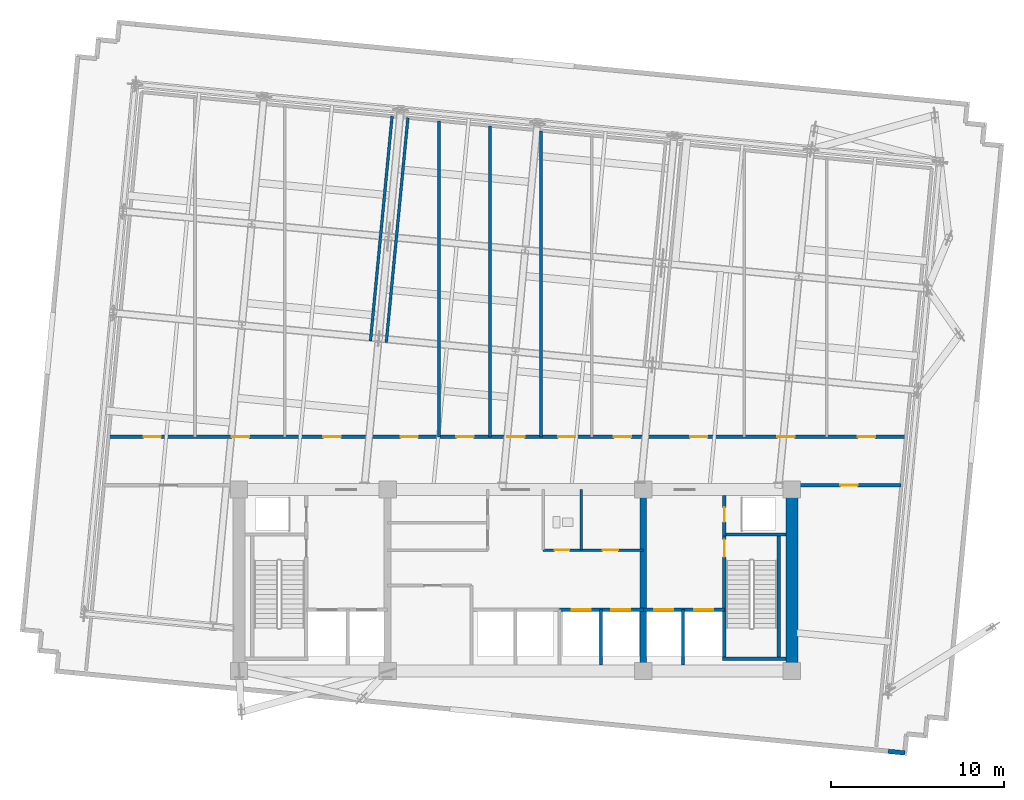
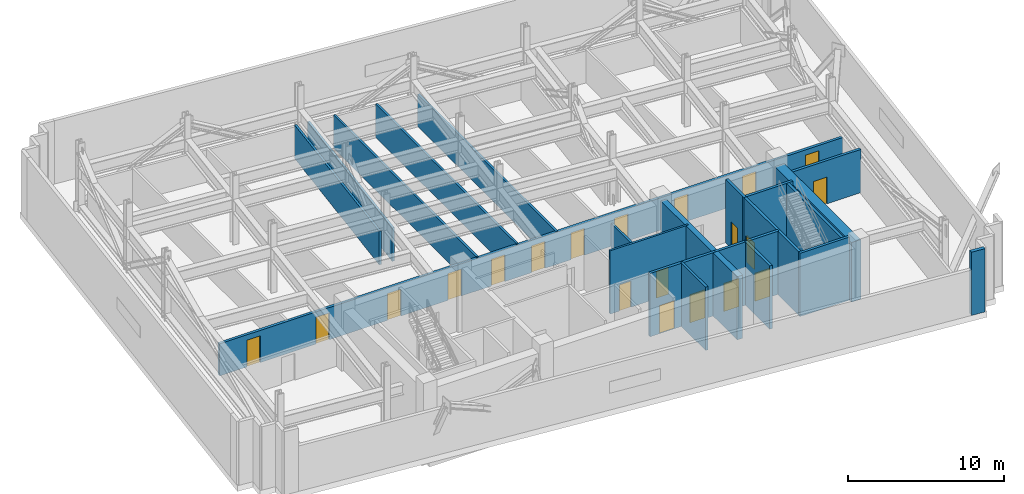
# One storey, part 6 of 10: 21 walls, 20 doors, 20 openings.
"""IFC4 building model written with IfcOpenShell, lengths in metres."""

from ifc_helpers import new_model, si_unit, direction, frame, frame_2d, origin, place, context, subcontext, project, spatial, rectangle, extrude, material, layer, layer_set, type_object, element, fill, save


model = new_model("IFC4")

# Units and contexts
model_context = context("Model", 3, precision=1e-05, world=origin(), true_north=direction((0.0, 1.0)))
body_context = subcontext(model_context, "Body", "Model", "MODEL_VIEW")
ifc_project = project(units=[si_unit("LENGTHUNIT", "METRE"), si_unit("AREAUNIT", "SQUARE_METRE"), si_unit("VOLUMEUNIT", "CUBIC_METRE"), si_unit("PLANEANGLEUNIT", "RADIAN"), si_unit("MASSUNIT", "GRAM", prefix="KILO")], contexts=[model_context])

# Site, building, storey
site_placement = place(None, origin())
site = spatial("IfcSite", under=ifc_project, at=site_placement, CompositionType="ELEMENT")
building_placement = place(site_placement, origin())
building = spatial("IfcBuilding", under=site, at=building_placement, Name="Solmavex Isthmus Hotel", CompositionType="ELEMENT")
storey_placement = place(building_placement, frame((0.0, 0.0, 186.300048828125)))
storey = spatial("IfcBuildingStorey", under=building, at=storey_placement, Name="L50", CompositionType="ELEMENT", Elevation=186.300048828125)

# Walls
ifc_material_1 = material(Name="Precast Concrete C40/50", Category="concrete")
ifc_layer_1 = layer(ifc_material_1, 0.260009765625)
ifc_layer_set_1 = layer_set([ifc_layer_1], Name="Precast Concrete C40/50")
wall_type_1 = type_object("IfcWallType", Name="EW-CRN-260", PredefinedType="STANDARD", material=ifc_layer_set_1)
wall_1_placement = place(storey_placement, frame((22.5478515625, -17.74755859375, 0.0), z_axis=(0.0, 0.0, 1.0), x_axis=(-0.99541594347, 0.095640469916, 0.0)))
element("IfcWall", 1, at=wall_1_placement, inside=storey, type_object=wall_type_1, Name="Plant Acoustic Louvre Enclosure Wall L50-27", PredefinedType="STANDARD", context=body_context, shape_type="SweptSolid", body=[
    extrude(rectangle(XDim=0.969970703125, YDim=0.260009765625, at=frame_2d((0.48486328125, 0.0))), origin(), (0.0, 0.0, 1.0), 4.949951171875),
])
ifc_material_2 = material(Name="Gypsum plasterboard lining", Category="gypsum")
ifc_layer_2 = layer(ifc_material_2, 0.159912109375)
ifc_layer_set_2 = layer_set([ifc_layer_2], Name="Gypsum plasterboard lining")
wall_type_2 = type_object("IfcWallType", Name="IW-COMP-160", PredefinedType="PARTITIONING", material=ifc_layer_set_2)
for number, where, z_axis, x_axis, name in (
    (2, (-8.395263671875, 6.097900390625, 0.0), (0.0, 0.0, 1.0), (0.095845777462, 0.995396195966, 0.0), "Interior Partition Wall W-L50-OTWL"),
    (3, (-7.4794921875, 6.009765625, 0.0), (0.0, 0.0, 1.0), (0.095845777462, 0.995396195966, 0.0), "Interior Partition Wall W-L50-OTWR"),
):
    element("IfcWall", number, at=place(storey_placement, frame(where, z_axis=z_axis, x_axis=x_axis)), inside=storey, type_object=wall_type_2, Name=name, PredefinedType="PARTITIONING", context=body_context, shape_type="SweptSolid", body=[
        extrude(rectangle(XDim=13.080078125, YDim=0.159912109375, at=frame_2d((6.5400390625, 0.0))), origin(), (0.0, 0.0, 1.0), 2.615966796875),
    ])
wall_2_placement = place(storey_placement, frame((-4.419921875, 0.550048828125, 0.0), z_axis=(0.0, 0.0, 1.0), x_axis=(0.0, 1.0, 0.0)))
element("IfcWall", 4, at=wall_2_placement, inside=storey, type_object=wall_type_2, Name="Interior Partition Wall W-L50-PX4", PredefinedType="PARTITIONING", context=body_context, shape_type="SweptSolid", body=[
    extrude(rectangle(XDim=18.285400390625, YDim=0.159912109375, at=frame_2d((9.142578125, 0.0))), origin(), (0.0, 0.0, 1.0), 2.615966796875),
])
wall_3_placement = place(storey_placement, frame((-1.469970703125, 0.550048828125, 0.0), z_axis=(0.0, 0.0, 1.0), x_axis=(0.0, 1.0, 0.0)))
element("IfcWall", 5, at=wall_3_placement, inside=storey, type_object=wall_type_2, Name="Interior Partition Wall W-L50-PX5", PredefinedType="PARTITIONING", context=body_context, shape_type="SweptSolid", body=[
    extrude(rectangle(XDim=18.00146484375, YDim=0.159912109375, at=frame_2d((9.000732421875, 0.0))), origin(), (0.0, 0.0, 1.0), 2.615966796875),
])
wall_4_placement = place(storey_placement, frame((1.47998046875, 0.550048828125, 0.0), z_axis=(0.0, 0.0, 1.0), x_axis=(0.0, 1.0, 0.0)))
element("IfcWall", 6, at=wall_4_placement, inside=storey, type_object=wall_type_2, Name="Interior Partition Wall W-L50-PX6", PredefinedType="PARTITIONING", context=body_context, shape_type="SweptSolid", body=[
    extrude(rectangle(XDim=17.71728515625, YDim=0.159912109375, at=frame_2d((8.858642578125, 0.0))), origin(), (0.0, 0.0, 1.0), 2.5185546875),
])

# Wall, openings, doors
ifc_layer_3 = layer(ifc_material_2, 0.14990234375)
ifc_layer_set_3 = layer_set([ifc_layer_3], Name="Gypsum plasterboard lining")
wall_type_3 = type_object("IfcWallType", Name="IW-CORR-150", PredefinedType="PARTITIONING", material=ifc_layer_set_3)
wall_5_placement = place(storey_placement, frame((1.60009765625, -6.0, 0.0), z_axis=(0.0, 0.0, 1.0), x_axis=(1.0, 0.0, 0.0)))
wall_5 = element("IfcWall", 7, at=wall_5_placement, inside=storey, type_object=wall_type_3, Name="Interior Partition Wall W-L50-BOH-ES", PredefinedType="PARTITIONING", context=body_context, shape_type="SweptSolid", body=[
    extrude(rectangle(XDim=5.7998046875, YDim=0.14990234375, at=frame_2d((2.89990234375, 0.0))), origin(), (0.0, 0.0, 1.0), 4.949951171875),
])
opening_1_placement = place(wall_5_placement, frame((0.675048828125, 0.0, 0.0)))
opening_1 = element("IfcOpeningElement", 8, at=opening_1_placement, cuts=wall_5, Name="Opening ID-R085", PredefinedType="OPENING", context=body_context, shape_type="SweptSolid", body=[
    extrude(rectangle(XDim=0.85009765625, YDim=2.050048828125, at=frame_2d((0.425048828125, 1.02490234375))), frame((0.0, 0.0849609375, 0.0), z_axis=(0.0, -1.0, 0.0), x_axis=(1.0, 0.0, 0.0)), (0.0, 0.0, 1.0), 0.169921875),
])
opening_2_placement = place(wall_5_placement, frame((3.449951171875, 0.0, 0.0)))
opening_2 = element("IfcOpeningElement", 9, at=opening_2_placement, cuts=wall_5, Name="Opening ID-C090", PredefinedType="OPENING", context=body_context, shape_type="SweptSolid", body=[
    extrude(rectangle(XDim=0.89990234375, YDim=2.10009765625, at=frame_2d((0.449951171875, 1.050048828125))), frame((0.0, 0.0849609375, 0.0), z_axis=(0.0, -1.0, 0.0), x_axis=(1.0, 0.0, 0.0)), (0.0, 0.0, 1.0), 0.169921875),
])
ifc_material_3 = material(Name="Steel ASTM A500 Grade C", Category="steel")
door_type_1 = type_object("IfcDoorType", Name="IDR-FD60-0850", OperationType="NOTDEFINED", PredefinedType="DOOR", material=ifc_material_3)
door_1_placement = place(opening_1_placement, frame((0.85009765625, 0.0, 0.0), z_axis=(0.0, 0.0, 1.0), x_axis=(-1.0, 0.0, 0.0)))
door_1 = element("IfcDoor", 10, at=door_1_placement, inside=storey, type_object=door_type_1, Name="Staff WC Door L50", OperationType="SINGLE_SWING_LEFT", OverallHeight=2.050048828125, OverallWidth=0.85009765625, PredefinedType="DOOR", context=body_context, shape_type="SweptSolid", body=[
    extrude(rectangle(XDim=0.85009765625, YDim=2.050048828125, at=frame_2d((0.425048828125, 1.02490234375))), frame((0.0, 0.02490234375, 0.0), z_axis=(0.0, -1.0, 0.0), x_axis=(1.0, 0.0, 0.0)), (0.0, 0.0, 1.0), 0.050048828125),
])
fill(opening_1, door_1)
ifc_material_4 = material(Name="Hardwood timber", Category="wood")
door_type_2 = type_object("IfcDoorType", Name="IDR-FD60-0900", OperationType="NOTDEFINED", PredefinedType="DOOR", material=ifc_material_4)
door_2_placement = place(opening_2_placement, frame((0.89990234375, 0.0, 0.0), z_axis=(0.0, 0.0, 1.0), x_axis=(-1.0, 0.0, 0.0)))
door_2 = element("IfcDoor", 11, at=door_2_placement, inside=storey, type_object=door_type_2, Name="Room Service Door L50", OperationType="SINGLE_SWING_RIGHT", OverallHeight=2.10009765625, OverallWidth=0.89990234375, PredefinedType="DOOR", context=body_context, shape_type="SweptSolid", body=[
    extrude(rectangle(XDim=0.89990234375, YDim=2.10009765625, at=frame_2d((0.449951171875, 1.050048828125))), frame((0.0, 0.02490234375, 0.0), z_axis=(0.0, -1.0, 0.0), x_axis=(1.0, 0.0, 0.0)), (0.0, 0.0, 1.0), 0.050048828125),
])
fill(opening_2, door_2)

# Walls
ifc_layer_4 = layer(ifc_material_2, 0.1201171875)
ifc_layer_set_4 = layer_set([ifc_layer_4], Name="Gypsum plasterboard lining")
wall_type_4 = type_object("IfcWallType", Name="IW-PART-120", PredefinedType="PARTITIONING", material=ifc_layer_set_4)
wall_6_placement = place(storey_placement, frame((3.800048828125, -6.0, 0.0), z_axis=(0.0, 0.0, 1.0), x_axis=(0.0, 1.0, 0.0)))
element("IfcWall", 12, at=wall_6_placement, inside=storey, type_object=wall_type_4, Name="Interior Partition Wall W-L50-BOH-EM3", PredefinedType="PARTITIONING", context=body_context, shape_type="SweptSolid", body=[
    extrude(rectangle(XDim=3.5, YDim=0.14990234375, at=frame_2d((1.75, 0.0))), origin(), (0.0, 0.0, 1.0), 4.195068359375),
])
ifc_material_5 = material(Name="Concrete C40/50", Category="concrete")
ifc_layer_5 = layer(ifc_material_5, 0.179931640625)
ifc_layer_set_5 = layer_set([ifc_layer_5], Name="Concrete C40/50")
wall_type_5 = type_object("IfcWallType", Name="IW-SHAFT-180", PredefinedType="PARTITIONING", material=ifc_layer_set_5)
wall_7_placement = place(storey_placement, frame((4.949951171875, -12.64990234375, 0.0), z_axis=(0.0, 0.0, 1.0), x_axis=(0.0, 1.0, 0.0)))
element("IfcWall", 13, at=wall_7_placement, inside=storey, type_object=wall_type_5, Name="Interior Partition Wall W-L50-SH-PLH-M", PredefinedType="PARTITIONING", context=body_context, shape_type="SweptSolid", body=[
    extrude(rectangle(XDim=3.199951171875, YDim=0.179931640625, at=frame_2d((1.60009765625, 0.0))), origin(), (0.0, 0.0, 1.0), 4.949951171875),
])

# Wall, opening, door
ifc_layer_6 = layer(ifc_material_5, 0.199951171875)
ifc_layer_set_6 = layer_set([ifc_layer_6], Name="Concrete C40/50")
wall_type_6 = type_object("IfcWallType", Name="IW-SHAFT-200", PredefinedType="PARTITIONING", material=ifc_layer_set_6)
wall_8_placement = place(storey_placement, frame((12.10009765625, -5.199951171875, 0.0), z_axis=(0.0, 0.0, 1.0), x_axis=(0.0, 1.0, 0.0)))
wall_8 = element("IfcWall", 14, at=wall_8_placement, inside=storey, type_object=wall_type_6, Name="Interior Partition Wall W-L50-RSE-W", PredefinedType="PARTITIONING", context=body_context, shape_type="SweptSolid", body=[
    extrude(rectangle(XDim=2.349853515625, YDim=0.199951171875, at=frame_2d((1.1748046875, 0.0))), origin(), (0.0, 0.0, 1.0), 4.949951171875),
])
opening_3_placement = place(wall_8_placement, frame((0.824951171875, 0.0, 0.0)))
opening_3 = element("IfcOpeningElement", 15, at=opening_3_placement, cuts=wall_8, Name="Opening ID-R085", PredefinedType="OPENING", context=body_context, shape_type="SweptSolid", body=[
    extrude(rectangle(XDim=0.85009765625, YDim=2.050048828125, at=frame_2d((0.425048828125, 1.02490234375))), frame((0.0, 0.10986328125, 0.0), z_axis=(0.0, -1.0, 0.0), x_axis=(1.0, 0.0, 0.0)), (0.0, 0.0, 1.0), 0.219970703125),
])
door_3_placement = place(opening_3_placement, frame((0.85009765625, 0.0, 0.0), z_axis=(0.0, 0.0, 1.0), x_axis=(-1.0, 0.0, 0.0)))
door_3 = element("IfcDoor", 16, at=door_3_placement, inside=storey, type_object=door_type_1, Name="Mechanical Riser Door L50", OperationType="SINGLE_SWING_LEFT", OverallHeight=2.050048828125, OverallWidth=0.85009765625, PredefinedType="DOOR", context=body_context, shape_type="SweptSolid", body=[
    extrude(rectangle(XDim=0.85009765625, YDim=2.050048828125, at=frame_2d((0.425048828125, 1.02490234375))), frame((0.0, 0.02490234375, 0.0), z_axis=(0.0, -1.0, 0.0), x_axis=(1.0, 0.0, 0.0)), (0.0, 0.0, 1.0), 0.050048828125),
])
fill(opening_3, door_3)

# Wall, openings, doors
wall_9_placement = place(storey_placement, frame((7.39990234375, -9.449951171875, 0.0), z_axis=(0.0, 0.0, 1.0), x_axis=(1.0, 0.0, 0.0)))
wall_9 = element("IfcWall", 17, at=wall_9_placement, inside=storey, type_object=wall_type_6, Name="Interior Partition Wall W-L50-FFLE-S", PredefinedType="PARTITIONING", context=body_context, shape_type="SweptSolid", body=[
    extrude(rectangle(XDim=4.7001953125, YDim=0.199951171875, at=frame_2d((2.35009765625, 0.0))), origin(), (0.0, 0.0, 1.0), 4.949951171875),
])
opening_4_placement = place(wall_9_placement, frame((2.949951171875, 0.0, 0.0)))
opening_4 = element("IfcOpeningElement", 18, at=opening_4_placement, cuts=wall_9, Name="Opening LD-FF", PredefinedType="OPENING", context=body_context, shape_type="SweptSolid", body=[
    extrude(rectangle(XDim=1.10009765625, YDim=2.199951171875, at=frame_2d((0.550048828125, 1.10009765625))), frame((0.0, 0.10986328125, 0.0), z_axis=(0.0, -1.0, 0.0), x_axis=(1.0, 0.0, 0.0)), (0.0, 0.0, 1.0), 0.219970703125),
])
opening_5_placement = place(wall_9_placement, frame((0.64990234375, 0.0, 0.0)))
opening_5 = element("IfcOpeningElement", 19, at=opening_5_placement, cuts=wall_9, Name="Opening LD-SV", PredefinedType="OPENING", context=body_context, shape_type="SweptSolid", body=[
    extrude(rectangle(XDim=1.10009765625, YDim=2.199951171875, at=frame_2d((0.550048828125, 1.10009765625))), frame((0.0, 0.10986328125, 0.0), z_axis=(0.0, -1.0, 0.0), x_axis=(1.0, 0.0, 0.0)), (0.0, 0.0, 1.0), 0.219970703125),
])
ifc_material_6 = material(Name="Stainless steel 316", Category="steel")
door_type_3 = type_object("IfcDoorType", Name="LDR-FF-1100", OperationType="NOTDEFINED", PredefinedType="DOOR", material=ifc_material_6)
door_4_placement = place(opening_4_placement, origin())
door_4 = element("IfcDoor", 20, at=door_4_placement, inside=storey, type_object=door_type_3, Name="Lift Landing Door FFL-2 L50", OperationType="SLIDING_TO_LEFT", OverallHeight=2.199951171875, OverallWidth=1.10009765625, PredefinedType="DOOR", context=body_context, shape_type="SweptSolid", body=[
    extrude(rectangle(XDim=1.10009765625, YDim=2.199951171875, at=frame_2d((0.550048828125, 1.10009765625))), frame((0.0, 0.02490234375, 0.0), z_axis=(0.0, -1.0, 0.0), x_axis=(1.0, 0.0, 0.0)), (0.0, 0.0, 1.0), 0.050048828125),
])
fill(opening_4, door_4)
door_type_4 = type_object("IfcDoorType", Name="LDR-SV-1100", OperationType="NOTDEFINED", PredefinedType="DOOR", material=ifc_material_6)
door_5_placement = place(opening_5_placement, origin())
door_5 = element("IfcDoor", 21, at=door_5_placement, inside=storey, type_object=door_type_4, Name="Lift Landing Door SVL-2 L50", OperationType="SLIDING_TO_RIGHT", OverallHeight=2.199951171875, OverallWidth=1.10009765625, PredefinedType="DOOR", context=body_context, shape_type="SweptSolid", body=[
    extrude(rectangle(XDim=1.10009765625, YDim=2.199951171875, at=frame_2d((0.550048828125, 1.10009765625))), frame((0.0, 0.02490234375, 0.0), z_axis=(0.0, -1.0, 0.0), x_axis=(1.0, 0.0, 0.0)), (0.0, 0.0, 1.0), 0.050048828125),
])
fill(opening_5, door_5)

# Wall
wall_10_placement = place(storey_placement, frame((9.699951171875, -12.64990234375, 0.0), z_axis=(0.0, 0.0, 1.0), x_axis=(0.0, 1.0, 0.0)))
element("IfcWall", 22, at=wall_10_placement, inside=storey, type_object=wall_type_6, Name="Interior Partition Wall W-L50-FFLE-M", PredefinedType="PARTITIONING", context=body_context, shape_type="SweptSolid", body=[
    extrude(rectangle(XDim=3.199951171875, YDim=0.199951171875, at=frame_2d((1.60009765625, 0.0))), origin(), (0.0, 0.0, 1.0), 4.949951171875),
])

# Wall, openings, doors
wall_11_placement = place(storey_placement, frame((2.550048828125, -9.449951171875, 0.0), z_axis=(0.0, 0.0, 1.0), x_axis=(1.0, 0.0, 0.0)))
wall_11 = element("IfcWall", 23, at=wall_11_placement, inside=storey, type_object=wall_type_6, Name="Interior Partition Wall W-L50-SH-PLH", PredefinedType="PARTITIONING", context=body_context, shape_type="SweptSolid", body=[
    extrude(rectangle(XDim=4.849853515625, YDim=0.199951171875, at=frame_2d((2.4248046875, 0.0))), origin(), (0.0, 0.0, 1.0), 4.949951171875),
])
opening_6_placement = place(wall_11_placement, frame((0.699951171875, 0.0, 0.0)))
opening_6 = element("IfcOpeningElement", 24, at=opening_6_placement, cuts=wall_11, Name="Opening LD-PL", PredefinedType="OPENING", context=body_context, shape_type="SweptSolid", body=[
    extrude(rectangle(XDim=1.10009765625, YDim=2.199951171875, at=frame_2d((0.550048828125, 1.10009765625))), frame((0.0, 0.10986328125, 0.0), z_axis=(0.0, -1.0, 0.0), x_axis=(1.0, 0.0, 0.0)), (0.0, 0.0, 1.0), 0.219970703125),
])
opening_7_placement = place(wall_11_placement, frame((3.0, 0.0, 0.0)))
opening_7 = element("IfcOpeningElement", 25, at=opening_7_placement, cuts=wall_11, Name="Opening LD-PL", PredefinedType="OPENING", context=body_context, shape_type="SweptSolid", body=[
    extrude(rectangle(XDim=1.10009765625, YDim=2.199951171875, at=frame_2d((0.550048828125, 1.10009765625))), frame((0.0, 0.10986328125, 0.0), z_axis=(0.0, -1.0, 0.0), x_axis=(1.0, 0.0, 0.0)), (0.0, 0.0, 1.0), 0.219970703125),
])
door_type_5 = type_object("IfcDoorType", Name="LDR-PL-1100", OperationType="NOTDEFINED", PredefinedType="DOOR", material=ifc_material_6)
door_6_placement = place(opening_6_placement, origin())
door_6 = element("IfcDoor", 26, at=door_6_placement, inside=storey, type_object=door_type_5, Name="Lift Landing Door PLH1 L50", OperationType="SLIDING_TO_LEFT", OverallHeight=2.199951171875, OverallWidth=1.10009765625, PredefinedType="DOOR", context=body_context, shape_type="SweptSolid", body=[
    extrude(rectangle(XDim=1.10009765625, YDim=2.199951171875, at=frame_2d((0.550048828125, 1.10009765625))), frame((0.0, 0.02490234375, 0.0), z_axis=(0.0, -1.0, 0.0), x_axis=(1.0, 0.0, 0.0)), (0.0, 0.0, 1.0), 0.050048828125),
])
fill(opening_6, door_6)
door_7_placement = place(opening_7_placement, origin())
door_7 = element("IfcDoor", 27, at=door_7_placement, inside=storey, type_object=door_type_5, Name="Lift Landing Door PLH2 L50", OperationType="SLIDING_TO_LEFT", OverallHeight=2.199951171875, OverallWidth=1.10009765625, PredefinedType="DOOR", context=body_context, shape_type="SweptSolid", body=[
    extrude(rectangle(XDim=1.10009765625, YDim=2.199951171875, at=frame_2d((0.550048828125, 1.10009765625))), frame((0.0, 0.02490234375, 0.0), z_axis=(0.0, -1.0, 0.0), x_axis=(1.0, 0.0, 0.0)), (0.0, 0.0, 1.0), 0.050048828125),
])
fill(opening_7, door_7)

wall_12_placement = place(storey_placement, frame((-23.54052734375, 0.550048828125, 0.0), z_axis=(0.0, 0.0, 1.0), x_axis=(1.0, 0.0, 0.0)))
wall_12 = element("IfcWall", 28, at=wall_12_placement, inside=storey, type_object=wall_type_6, Name="Interior Partition Wall W-L50-PN", PredefinedType="PARTITIONING", context=body_context, shape_type="SweptSolid", body=[
    extrude(rectangle(XDim=46.13232421875, YDim=0.199951171875, at=frame_2d((23.066162109375, 0.0))), origin(), (0.0, 0.0, 1.0), 2.5185546875),
])
opening_8_placement = place(wall_12_placement, frame((2.005615234375, 0.0, 0.0)))
opening_8 = element("IfcOpeningElement", 29, at=opening_8_placement, cuts=wall_12, Name="Opening ID-F100", PredefinedType="OPENING", context=body_context, shape_type="SweptSolid", body=[
    extrude(rectangle(XDim=1.0, YDim=2.10009765625, at=frame_2d((0.5, 1.050048828125))), frame((0.0, 0.10986328125, 0.0), z_axis=(0.0, -1.0, 0.0), x_axis=(1.0, 0.0, 0.0)), (0.0, 0.0, 1.0), 0.219970703125),
])
opening_9_placement = place(wall_12_placement, frame((7.115478515625, 0.0, 0.0)))
opening_9 = element("IfcOpeningElement", 30, at=opening_9_placement, cuts=wall_12, Name="Opening ID-F100", PredefinedType="OPENING", context=body_context, shape_type="SweptSolid", body=[
    extrude(rectangle(XDim=1.0, YDim=2.10009765625, at=frame_2d((0.5, 1.050048828125))), frame((0.0, 0.10986328125, 0.0), z_axis=(0.0, -1.0, 0.0), x_axis=(1.0, 0.0, 0.0)), (0.0, 0.0, 1.0), 0.219970703125),
])
opening_10_placement = place(wall_12_placement, frame((12.425537109375, 0.0, 0.0)))
opening_10 = element("IfcOpeningElement", 31, at=opening_10_placement, cuts=wall_12, Name="Opening ID-F100", PredefinedType="OPENING", context=body_context, shape_type="SweptSolid", body=[
    extrude(rectangle(XDim=1.0, YDim=2.10009765625, at=frame_2d((0.5, 1.050048828125))), frame((0.0, 0.10986328125, 0.0), z_axis=(0.0, -1.0, 0.0), x_axis=(1.0, 0.0, 0.0)), (0.0, 0.0, 1.0), 0.219970703125),
])
opening_11_placement = place(wall_12_placement, frame((16.8955078125, 0.0, 0.0)))
opening_11 = element("IfcOpeningElement", 32, at=opening_11_placement, cuts=wall_12, Name="Opening ID-F100", PredefinedType="OPENING", context=body_context, shape_type="SweptSolid", body=[
    extrude(rectangle(XDim=1.0, YDim=2.10009765625, at=frame_2d((0.5, 1.050048828125))), frame((0.0, 0.10986328125, 0.0), z_axis=(0.0, -1.0, 0.0), x_axis=(1.0, 0.0, 0.0)), (0.0, 0.0, 1.0), 0.219970703125),
])
opening_12_placement = place(wall_12_placement, frame((20.115478515625, 0.0, 0.0)))
opening_12 = element("IfcOpeningElement", 33, at=opening_12_placement, cuts=wall_12, Name="Opening ID-F100", PredefinedType="OPENING", context=body_context, shape_type="SweptSolid", body=[
    extrude(rectangle(XDim=1.0, YDim=2.10009765625, at=frame_2d((0.5, 1.050048828125))), frame((0.0, 0.10986328125, 0.0), z_axis=(0.0, -1.0, 0.0), x_axis=(1.0, 0.0, 0.0)), (0.0, 0.0, 1.0), 0.219970703125),
])
opening_13_placement = place(wall_12_placement, frame((23.07568359375, 0.0, 0.0)))
opening_13 = element("IfcOpeningElement", 34, at=opening_13_placement, cuts=wall_12, Name="Opening ID-F100", PredefinedType="OPENING", context=body_context, shape_type="SweptSolid", body=[
    extrude(rectangle(XDim=1.0, YDim=2.10009765625, at=frame_2d((0.5, 1.050048828125))), frame((0.0, 0.10986328125, 0.0), z_axis=(0.0, -1.0, 0.0), x_axis=(1.0, 0.0, 0.0)), (0.0, 0.0, 1.0), 0.219970703125),
])
opening_14_placement = place(wall_12_placement, frame((26.015625, 0.0, 0.0)))
opening_14 = element("IfcOpeningElement", 35, at=opening_14_placement, cuts=wall_12, Name="Opening ID-F100", PredefinedType="OPENING", context=body_context, shape_type="SweptSolid", body=[
    extrude(rectangle(XDim=1.0, YDim=2.10009765625, at=frame_2d((0.5, 1.050048828125))), frame((0.0, 0.10986328125, 0.0), z_axis=(0.0, -1.0, 0.0), x_axis=(1.0, 0.0, 0.0)), (0.0, 0.0, 1.0), 0.219970703125),
])
opening_15_placement = place(wall_12_placement, frame((29.235595703125, 0.0, 0.0)))
opening_15 = element("IfcOpeningElement", 36, at=opening_15_placement, cuts=wall_12, Name="Opening ID-F100", PredefinedType="OPENING", context=body_context, shape_type="SweptSolid", body=[
    extrude(rectangle(XDim=1.0, YDim=2.10009765625, at=frame_2d((0.5, 1.050048828125))), frame((0.0, 0.10986328125, 0.0), z_axis=(0.0, -1.0, 0.0), x_axis=(1.0, 0.0, 0.0)), (0.0, 0.0, 1.0), 0.219970703125),
])
opening_16_placement = place(wall_12_placement, frame((33.655517578125, 0.0, 0.0)))
opening_16 = element("IfcOpeningElement", 37, at=opening_16_placement, cuts=wall_12, Name="Opening ID-F100", PredefinedType="OPENING", context=body_context, shape_type="SweptSolid", body=[
    extrude(rectangle(XDim=1.0, YDim=2.10009765625, at=frame_2d((0.5, 1.050048828125))), frame((0.0, 0.10986328125, 0.0), z_axis=(0.0, -1.0, 0.0), x_axis=(1.0, 0.0, 0.0)), (0.0, 0.0, 1.0), 0.219970703125),
])
opening_17_placement = place(wall_12_placement, frame((38.70556640625, 0.0, 0.0)))
opening_17 = element("IfcOpeningElement", 38, at=opening_17_placement, cuts=wall_12, Name="Opening ID-F100", PredefinedType="OPENING", context=body_context, shape_type="SweptSolid", body=[
    extrude(rectangle(XDim=1.0, YDim=2.10009765625, at=frame_2d((0.5, 1.050048828125))), frame((0.0, 0.10986328125, 0.0), z_axis=(0.0, -1.0, 0.0), x_axis=(1.0, 0.0, 0.0)), (0.0, 0.0, 1.0), 0.219970703125),
])
opening_18_placement = place(wall_12_placement, frame((43.365478515625, 0.0, 0.0)))
opening_18 = element("IfcOpeningElement", 39, at=opening_18_placement, cuts=wall_12, Name="Opening ID-F100", PredefinedType="OPENING", context=body_context, shape_type="SweptSolid", body=[
    extrude(rectangle(XDim=1.0, YDim=2.10009765625, at=frame_2d((0.5, 1.050048828125))), frame((0.0, 0.10986328125, 0.0), z_axis=(0.0, -1.0, 0.0), x_axis=(1.0, 0.0, 0.0)), (0.0, 0.0, 1.0), 0.219970703125),
])
door_type_6 = type_object("IfcDoorType", Name="IDR-FD90-1000", OperationType="NOTDEFINED", PredefinedType="DOOR", material=ifc_material_3)
door_8_placement = place(opening_8_placement, origin())
door_8 = element("IfcDoor", 40, at=door_8_placement, inside=storey, type_object=door_type_6, Name="Pressurised Area of Refuge West Door L50-1", OperationType="SINGLE_SWING_LEFT", OverallHeight=2.10009765625, OverallWidth=1.0, PredefinedType="DOOR", context=body_context, shape_type="SweptSolid", body=[
    extrude(rectangle(XDim=1.0, YDim=2.10009765625, at=frame_2d((0.5, 1.050048828125))), frame((0.0, 0.02490234375, 0.0), z_axis=(0.0, -1.0, 0.0), x_axis=(1.0, 0.0, 0.0)), (0.0, 0.0, 1.0), 0.050048828125),
])
fill(opening_8, door_8)
door_9_placement = place(opening_9_placement, origin())
door_9 = element("IfcDoor", 41, at=door_9_placement, inside=storey, type_object=door_type_6, Name="Accessible Refuge Area North-West Door L50-2", OperationType="SINGLE_SWING_RIGHT", OverallHeight=2.10009765625, OverallWidth=1.0, PredefinedType="DOOR", context=body_context, shape_type="SweptSolid", body=[
    extrude(rectangle(XDim=1.0, YDim=2.10009765625, at=frame_2d((0.5, 1.050048828125))), frame((0.0, 0.02490234375, 0.0), z_axis=(0.0, -1.0, 0.0), x_axis=(1.0, 0.0, 0.0)), (0.0, 0.0, 1.0), 0.050048828125),
])
fill(opening_9, door_9)
door_10_placement = place(opening_10_placement, origin())
door_10 = element("IfcDoor", 42, at=door_10_placement, inside=storey, type_object=door_type_6, Name="Hydronic Heat Exchanger Plant Room Door L50-3", OperationType="SINGLE_SWING_LEFT", OverallHeight=2.10009765625, OverallWidth=1.0, PredefinedType="DOOR", context=body_context, shape_type="SweptSolid", body=[
    extrude(rectangle(XDim=1.0, YDim=2.10009765625, at=frame_2d((0.5, 1.050048828125))), frame((0.0, 0.02490234375, 0.0), z_axis=(0.0, -1.0, 0.0), x_axis=(1.0, 0.0, 0.0)), (0.0, 0.0, 1.0), 0.050048828125),
])
fill(opening_10, door_10)
door_11_placement = place(opening_11_placement, origin())
door_11 = element("IfcDoor", 43, at=door_11_placement, inside=storey, type_object=door_type_6, Name="Primary Centrifugal Chiller Plant Room Door L50-4", OperationType="SINGLE_SWING_RIGHT", OverallHeight=2.10009765625, OverallWidth=1.0, PredefinedType="DOOR", context=body_context, shape_type="SweptSolid", body=[
    extrude(rectangle(XDim=1.0, YDim=2.10009765625, at=frame_2d((0.5, 1.050048828125))), frame((0.0, 0.02490234375, 0.0), z_axis=(0.0, -1.0, 0.0), x_axis=(1.0, 0.0, 0.0)), (0.0, 0.0, 1.0), 0.050048828125),
])
fill(opening_11, door_11)
door_12_placement = place(opening_12_placement, origin())
door_12 = element("IfcDoor", 44, at=door_12_placement, inside=storey, type_object=door_type_6, Name="Secondary Chilled Water Pump Plant Room Door L50-5", OperationType="SINGLE_SWING_LEFT", OverallHeight=2.10009765625, OverallWidth=1.0, PredefinedType="DOOR", context=body_context, shape_type="SweptSolid", body=[
    extrude(rectangle(XDim=1.0, YDim=2.10009765625, at=frame_2d((0.5, 1.050048828125))), frame((0.0, 0.02490234375, 0.0), z_axis=(0.0, -1.0, 0.0), x_axis=(1.0, 0.0, 0.0)), (0.0, 0.0, 1.0), 0.050048828125),
])
fill(opening_12, door_12)
door_13_placement = place(opening_13_placement, origin())
door_13 = element("IfcDoor", 45, at=door_13_placement, inside=storey, type_object=door_type_6, Name="Dedicated Outdoor Air Handling Plant Room Door L50-6", OperationType="SINGLE_SWING_RIGHT", OverallHeight=2.10009765625, OverallWidth=1.0, PredefinedType="DOOR", context=body_context, shape_type="SweptSolid", body=[
    extrude(rectangle(XDim=1.0, YDim=2.10009765625, at=frame_2d((0.5, 1.050048828125))), frame((0.0, 0.02490234375, 0.0), z_axis=(0.0, -1.0, 0.0), x_axis=(1.0, 0.0, 0.0)), (0.0, 0.0, 1.0), 0.050048828125),
])
fill(opening_13, door_13)
door_14_placement = place(opening_14_placement, origin())
door_14 = element("IfcDoor", 46, at=door_14_placement, inside=storey, type_object=door_type_6, Name="High-Voltage Transformer Plant Room Door L50-7", OperationType="SINGLE_SWING_LEFT", OverallHeight=2.10009765625, OverallWidth=1.0, PredefinedType="DOOR", context=body_context, shape_type="SweptSolid", body=[
    extrude(rectangle(XDim=1.0, YDim=2.10009765625, at=frame_2d((0.5, 1.050048828125))), frame((0.0, 0.02490234375, 0.0), z_axis=(0.0, -1.0, 0.0), x_axis=(1.0, 0.0, 0.0)), (0.0, 0.0, 1.0), 0.050048828125),
])
fill(opening_14, door_14)
door_15_placement = place(opening_15_placement, origin())
door_15 = element("IfcDoor", 47, at=door_15_placement, inside=storey, type_object=door_type_6, Name="Emergency Switchgear and UPS Plant Room Door L50-8", OperationType="SINGLE_SWING_RIGHT", OverallHeight=2.10009765625, OverallWidth=1.0, PredefinedType="DOOR", context=body_context, shape_type="SweptSolid", body=[
    extrude(rectangle(XDim=1.0, YDim=2.10009765625, at=frame_2d((0.5, 1.050048828125))), frame((0.0, 0.02490234375, 0.0), z_axis=(0.0, -1.0, 0.0), x_axis=(1.0, 0.0, 0.0)), (0.0, 0.0, 1.0), 0.050048828125),
])
fill(opening_15, door_15)
door_16_placement = place(opening_16_placement, origin())
door_16 = element("IfcDoor", 48, at=door_16_placement, inside=storey, type_object=door_type_6, Name="Smoke Exhaust and Pressurisation Plant Room Door L50-9", OperationType="SINGLE_SWING_LEFT", OverallHeight=2.10009765625, OverallWidth=1.0, PredefinedType="DOOR", context=body_context, shape_type="SweptSolid", body=[
    extrude(rectangle(XDim=1.0, YDim=2.10009765625, at=frame_2d((0.5, 1.050048828125))), frame((0.0, 0.02490234375, 0.0), z_axis=(0.0, -1.0, 0.0), x_axis=(1.0, 0.0, 0.0)), (0.0, 0.0, 1.0), 0.050048828125),
])
fill(opening_16, door_16)
door_17_placement = place(opening_17_placement, origin())
door_17 = element("IfcDoor", 49, at=door_17_placement, inside=storey, type_object=door_type_6, Name="Accessible Refuge Area North-East Door L50-10", OperationType="SINGLE_SWING_RIGHT", OverallHeight=2.10009765625, OverallWidth=1.0, PredefinedType="DOOR", context=body_context, shape_type="SweptSolid", body=[
    extrude(rectangle(XDim=1.0, YDim=2.10009765625, at=frame_2d((0.5, 1.050048828125))), frame((0.0, 0.02490234375, 0.0), z_axis=(0.0, -1.0, 0.0), x_axis=(1.0, 0.0, 0.0)), (0.0, 0.0, 1.0), 0.050048828125),
])
fill(opening_17, door_17)
door_18_placement = place(opening_18_placement, origin())
door_18 = element("IfcDoor", 50, at=door_18_placement, inside=storey, type_object=door_type_6, Name="Pressurised Area of Refuge East Door L50-11", OperationType="SINGLE_SWING_LEFT", OverallHeight=2.10009765625, OverallWidth=1.0, PredefinedType="DOOR", context=body_context, shape_type="SweptSolid", body=[
    extrude(rectangle(XDim=1.0, YDim=2.10009765625, at=frame_2d((0.5, 1.050048828125))), frame((0.0, 0.02490234375, 0.0), z_axis=(0.0, -1.0, 0.0), x_axis=(1.0, 0.0, 0.0)), (0.0, 0.0, 1.0), 0.050048828125),
])
fill(opening_18, door_18)

# Wall, opening, door
wall_13_placement = place(storey_placement, frame((16.35009765625, -2.25, 0.0), z_axis=(0.0, 0.0, 1.0), x_axis=(1.0, 0.0, 0.0)))
wall_13 = element("IfcWall", 51, at=wall_13_placement, inside=storey, type_object=wall_type_6, Name="Interior Partition Wall W-L50-PSE", PredefinedType="PARTITIONING", context=body_context, shape_type="SweptSolid", body=[
    extrude(rectangle(XDim=5.97216796875, YDim=0.199951171875, at=frame_2d((2.986083984375, 0.0))), origin(), (0.0, 0.0, 1.0), 3.385009765625),
])
opening_19_placement = place(wall_13_placement, frame((2.455078125, 0.0, 0.0)))
opening_19 = element("IfcOpeningElement", 52, at=opening_19_placement, cuts=wall_13, Name="Opening ID-F100", PredefinedType="OPENING", context=body_context, shape_type="SweptSolid", body=[
    extrude(rectangle(XDim=1.0, YDim=2.10009765625, at=frame_2d((0.5, 1.050048828125))), frame((0.0, 0.10986328125, 0.0), z_axis=(0.0, -1.0, 0.0), x_axis=(1.0, 0.0, 0.0)), (0.0, 0.0, 1.0), 0.219970703125),
])
door_19_placement = place(opening_19_placement, frame((1.0, 0.0, 0.0), z_axis=(0.0, 0.0, 1.0), x_axis=(-1.0, 0.0, 0.0)))
door_19 = element("IfcDoor", 53, at=door_19_placement, inside=storey, type_object=door_type_6, Name="Emergency Telecom and BMS Plant Room Door L50", OperationType="SINGLE_SWING_RIGHT", OverallHeight=2.10009765625, OverallWidth=1.0, PredefinedType="DOOR", context=body_context, shape_type="SweptSolid", body=[
    extrude(rectangle(XDim=1.0, YDim=2.10009765625, at=frame_2d((0.5, 1.050048828125))), frame((0.0, 0.02490234375, 0.0), z_axis=(0.0, -1.0, 0.0), x_axis=(1.0, 0.0, 0.0)), (0.0, 0.0, 1.0), 0.050048828125),
])
fill(opening_19, door_19)

# Walls
ifc_material_7 = material(Name="Concrete C60/75", Category="concrete")
ifc_layer_7 = layer(ifc_material_7, 0.39990234375)
ifc_layer_set_7 = layer_set([ifc_layer_7], Name="Concrete C60/75")
wall_type_7 = type_object("IfcWallType", Name="WALL-CW-400M", PredefinedType="SHEAR", material=ifc_layer_set_7)
wall_14_placement = place(storey_placement, frame((7.39990234375, -12.64990234375, 0.0), z_axis=(0.0, 0.0, 1.0), x_axis=(0.0, 1.0, 0.0)))
element("IfcWall", 54, at=wall_14_placement, inside=storey, type_object=wall_type_7, Name="Core Cross Shear Wall C2 L50", PredefinedType="SHEAR", context=body_context, shape_type="SweptSolid", body=[
    extrude(rectangle(XDim=9.7998046875, YDim=0.39990234375, at=frame_2d((4.89990234375, 0.0))), origin(), (0.0, 0.0, 1.0), 4.949951171875),
])
ifc_layer_8 = layer(ifc_material_7, 0.699951171875)
ifc_layer_set_8 = layer_set([ifc_layer_8], Name="Concrete C60/75")
wall_type_8 = type_object("IfcWallType", Name="WALL-CW-700", PredefinedType="SHEAR", material=ifc_layer_set_8)
wall_15_placement = place(storey_placement, frame((16.0, -12.64990234375, 0.0), z_axis=(0.0, 0.0, 1.0), x_axis=(0.0, 1.0, 0.0)))
element("IfcWall", 55, at=wall_15_placement, inside=storey, type_object=wall_type_8, Name="Core Shear Wall East L50", PredefinedType="SHEAR", context=body_context, shape_type="SweptSolid", body=[
    extrude(rectangle(XDim=9.7998046875, YDim=0.699951171875, at=frame_2d((4.89990234375, 0.0))), origin(), (0.0, 0.0, 1.0), 4.669921875),
])
ifc_layer_9 = layer(ifc_material_5, 0.199951171875)
ifc_layer_set_9 = layer_set([ifc_layer_9], Name="Concrete C40/50")
wall_type_9 = type_object("IfcWallType", Name="WALL-SW-200", PredefinedType="SOLIDWALL", material=ifc_layer_set_9)
for number, where, z_axis, x_axis, name in (
    (56, (12.0, -12.300048828125, 0.0), (0.0, 0.0, 1.0), (1.0, 0.0, 0.0), "Stairwell Structural Wall SW-L50-ST2-S"),
    (57, (12.0, -5.10009765625, 0.0), (0.0, 0.0, 1.0), (1.0, 0.0, 0.0), "Stairwell Structural Wall SW-L50-ST2-N"),
):
    element("IfcWall", number, at=place(storey_placement, frame(where, z_axis=z_axis, x_axis=x_axis)), inside=storey, type_object=wall_type_9, Name=name, PredefinedType="SOLIDWALL", context=body_context, shape_type="SweptSolid", body=[
        extrude(rectangle(XDim=3.64990234375, YDim=0.199951171875, at=frame_2d((1.824951171875, 0.0))), origin(), (0.0, 0.0, 1.0), 4.949951171875),
    ])

# Wall, opening, door
wall_16_placement = place(storey_placement, frame((12.10009765625, -12.199951171875, 0.0), z_axis=(0.0, 0.0, 1.0), x_axis=(0.0, 1.0, 0.0)))
wall_16 = element("IfcWall", 58, at=wall_16_placement, inside=storey, type_object=wall_type_9, Name="Stairwell Structural Wall SW-L50-ST2-W", PredefinedType="SOLIDWALL", context=body_context, shape_type="SweptSolid", body=[
    extrude(rectangle(XDim=7.0, YDim=0.199951171875, at=frame_2d((3.5, 0.0))), origin(), (0.0, 0.0, 1.0), 4.949951171875),
])
opening_20_placement = place(wall_16_placement, frame((5.800048828125, 0.0, 0.0)))
opening_20 = element("IfcOpeningElement", 59, at=opening_20_placement, cuts=wall_16, Name="Opening ID-F100", PredefinedType="OPENING", context=body_context, shape_type="SweptSolid", body=[
    extrude(rectangle(XDim=1.0, YDim=2.10009765625, at=frame_2d((0.5, 1.050048828125))), frame((0.0, 0.10986328125, 0.0), z_axis=(0.0, -1.0, 0.0), x_axis=(1.0, 0.0, 0.0)), (0.0, 0.0, 1.0), 0.219970703125),
])
door_20_placement = place(opening_20_placement, origin())
door_20 = element("IfcDoor", 60, at=door_20_placement, inside=storey, type_object=door_type_6, Name="Stair ST-2 Fire Door L50", OperationType="SINGLE_SWING_RIGHT", OverallHeight=2.10009765625, OverallWidth=1.0, PredefinedType="DOOR", context=body_context, shape_type="SweptSolid", body=[
    extrude(rectangle(XDim=1.0, YDim=2.10009765625, at=frame_2d((0.5, 1.050048828125))), frame((0.0, 0.02490234375, 0.0), z_axis=(0.0, -1.0, 0.0), x_axis=(1.0, 0.0, 0.0)), (0.0, 0.0, 1.0), 0.050048828125),
])
fill(opening_20, door_20)

# Wall
wall_17_placement = place(storey_placement, frame((15.25, -12.199951171875, 0.0), z_axis=(0.0, 0.0, 1.0), x_axis=(0.0, 1.0, 0.0)))
element("IfcWall", 61, at=wall_17_placement, inside=storey, type_object=wall_type_9, Name="Stairwell Structural Wall SW-L50-ST2-E", PredefinedType="SOLIDWALL", context=body_context, shape_type="SweptSolid", body=[
    extrude(rectangle(XDim=7.0, YDim=0.199951171875, at=frame_2d((3.5, 0.0))), origin(), (0.0, 0.0, 1.0), 4.949951171875),
])

save(model, "model.ifc")
